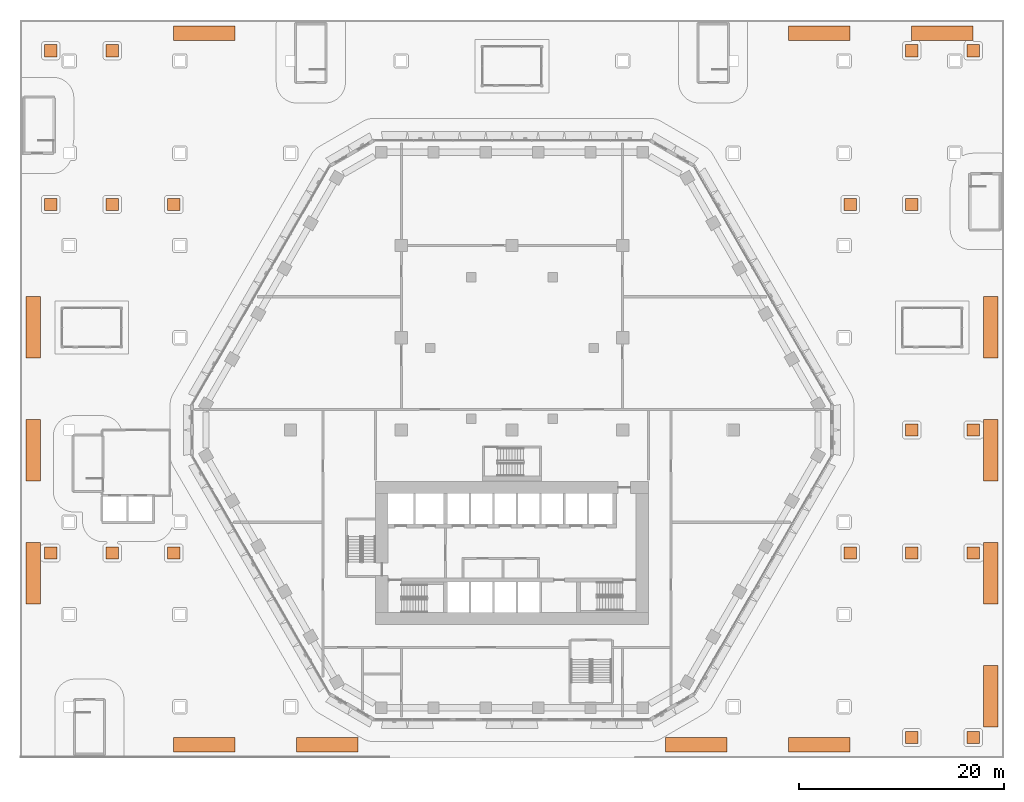
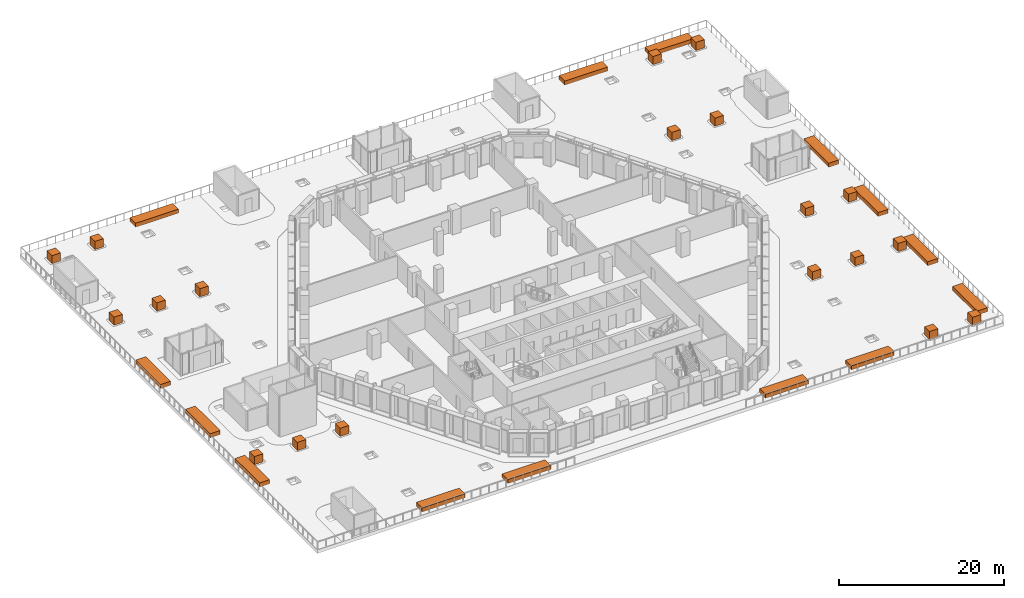
# One storey, part 38 of 38: 33 proxies.
"""IFC4 building model written with IfcOpenShell, lengths in metres."""

from ifc_helpers import new_model, si_unit, direction, frame, origin, place, context, subcontext, project, spatial, polyline, outline, extrude, material, type_object, element, save


model = new_model("IFC4")

# Units and contexts
model_context = context("Model", 3, precision=1e-05, world=origin(), true_north=direction((0.0, 1.0)))
body_context = subcontext(model_context, "Body", "Model", "MODEL_VIEW")
ifc_project = project(units=[si_unit("LENGTHUNIT", "METRE"), si_unit("AREAUNIT", "SQUARE_METRE"), si_unit("VOLUMEUNIT", "CUBIC_METRE"), si_unit("PLANEANGLEUNIT", "RADIAN"), si_unit("MASSUNIT", "GRAM", prefix="KILO")], contexts=[model_context])

# Site, building, storey
site_placement = place(None, origin())
site = spatial("IfcSite", under=ifc_project, at=site_placement, CompositionType="ELEMENT")
building_placement = place(site_placement, origin())
building = spatial("IfcBuilding", under=site, at=building_placement, Name="Beryl Residences", CompositionType="ELEMENT")
storey_placement = place(building_placement, frame((0.0, 0.0, 9.0)))
storey = spatial("IfcBuildingStorey", under=building, at=storey_placement, Name="L02", CompositionType="ELEMENT", Elevation=9.0)

# Proxies
ifc_material_1 = material(Name="Planting soil in precast concrete C40/50 trough", Category="concrete")
building_element_proxy_type_1 = type_object("IfcBuildingElementProxyType", Name="PL1 planter bed 600 mm", PredefinedType="USERDEFINED", material=ifc_material_1)
proxy_1_placement = place(storey_placement, origin())
element("IfcBuildingElementProxy", 1, at=proxy_1_placement, inside=storey, type_object=building_element_proxy_type_1, Name="PL1 planter bed deck S 1", ObjectType="PLANTER", PredefinedType="USERDEFINED", context=body_context, shape_type="SweptSolid", body=[
    extrude(outline(polyline([(-33.0, -31.39990234375), (-27.0, -31.39990234375), (-27.0, -30.0), (-33.0, -30.0), (-33.0, -31.39990234375)])), origin(), (0.0, 0.0, 1.0), 0.60009765625),
])
proxy_2_placement = place(storey_placement, origin())
element("IfcBuildingElementProxy", 2, at=proxy_2_placement, inside=storey, type_object=building_element_proxy_type_1, Name="PL1 planter bed deck S 2", ObjectType="PLANTER", PredefinedType="USERDEFINED", context=body_context, shape_type="SweptSolid", body=[
    extrude(outline(polyline([(-21.0, -31.39990234375), (-15.0, -31.39990234375), (-15.0, -30.0), (-21.0, -30.0), (-21.0, -31.39990234375)])), origin(), (0.0, 0.0, 1.0), 0.60009765625),
])
proxy_3_placement = place(storey_placement, origin())
element("IfcBuildingElementProxy", 3, at=proxy_3_placement, inside=storey, type_object=building_element_proxy_type_1, Name="PL1 planter bed deck S 3", ObjectType="PLANTER", PredefinedType="USERDEFINED", context=body_context, shape_type="SweptSolid", body=[
    extrude(outline(polyline([(15.0, -31.39990234375), (21.0, -31.39990234375), (21.0, -30.0), (15.0, -30.0), (15.0, -31.39990234375)])), origin(), (0.0, 0.0, 1.0), 0.60009765625),
])
proxy_4_placement = place(storey_placement, origin())
element("IfcBuildingElementProxy", 4, at=proxy_4_placement, inside=storey, type_object=building_element_proxy_type_1, Name="PL1 planter bed deck S 4", ObjectType="PLANTER", PredefinedType="USERDEFINED", context=body_context, shape_type="SweptSolid", body=[
    extrude(outline(polyline([(27.0, -31.39990234375), (33.0, -31.39990234375), (33.0, -30.0), (27.0, -30.0), (27.0, -31.39990234375)])), origin(), (0.0, 0.0, 1.0), 0.60009765625),
])
proxy_5_placement = place(storey_placement, origin())
element("IfcBuildingElementProxy", 5, at=proxy_5_placement, inside=storey, type_object=building_element_proxy_type_1, Name="PL1 planter bed deck E 1", ObjectType="PLANTER", PredefinedType="USERDEFINED", context=body_context, shape_type="SweptSolid", body=[
    extrude(outline(polyline([(47.39990234375, -29.0), (47.39990234375, -23.0), (46.0, -23.0), (46.0, -29.0), (47.39990234375, -29.0)])), origin(), (0.0, 0.0, 1.0), 0.60009765625),
])
proxy_6_placement = place(storey_placement, origin())
element("IfcBuildingElementProxy", 6, at=proxy_6_placement, inside=storey, type_object=building_element_proxy_type_1, Name="PL1 planter bed deck E 2", ObjectType="PLANTER", PredefinedType="USERDEFINED", context=body_context, shape_type="SweptSolid", body=[
    extrude(outline(polyline([(47.39990234375, -17.0), (47.39990234375, -11.0), (46.0, -11.0), (46.0, -17.0), (47.39990234375, -17.0)])), origin(), (0.0, 0.0, 1.0), 0.60009765625),
])
proxy_7_placement = place(storey_placement, origin())
element("IfcBuildingElementProxy", 7, at=proxy_7_placement, inside=storey, type_object=building_element_proxy_type_1, Name="PL1 planter bed deck E 3", ObjectType="PLANTER", PredefinedType="USERDEFINED", context=body_context, shape_type="SweptSolid", body=[
    extrude(outline(polyline([(47.39990234375, -5.0), (47.39990234375, 1.0), (46.0, 1.0), (46.0, -5.0), (47.39990234375, -5.0)])), origin(), (0.0, 0.0, 1.0), 0.60009765625),
])
proxy_8_placement = place(storey_placement, origin())
element("IfcBuildingElementProxy", 8, at=proxy_8_placement, inside=storey, type_object=building_element_proxy_type_1, Name="PL1 planter bed deck E 4", ObjectType="PLANTER", PredefinedType="USERDEFINED", context=body_context, shape_type="SweptSolid", body=[
    extrude(outline(polyline([(47.39990234375, 7.0), (47.39990234375, 13.0), (46.0, 13.0), (46.0, 7.0), (47.39990234375, 7.0)])), origin(), (0.0, 0.0, 1.0), 0.60009765625),
])
proxy_9_placement = place(storey_placement, origin())
element("IfcBuildingElementProxy", 9, at=proxy_9_placement, inside=storey, type_object=building_element_proxy_type_1, Name="PL1 planter bed deck N 1", ObjectType="PLANTER", PredefinedType="USERDEFINED", context=body_context, shape_type="SweptSolid", body=[
    extrude(outline(polyline([(45.0, 39.39990234375), (39.0, 39.39990234375), (39.0, 38.0), (45.0, 38.0), (45.0, 39.39990234375)])), origin(), (0.0, 0.0, 1.0), 0.60009765625),
])
proxy_10_placement = place(storey_placement, origin())
element("IfcBuildingElementProxy", 10, at=proxy_10_placement, inside=storey, type_object=building_element_proxy_type_1, Name="PL1 planter bed deck N 2", ObjectType="PLANTER", PredefinedType="USERDEFINED", context=body_context, shape_type="SweptSolid", body=[
    extrude(outline(polyline([(33.0, 39.39990234375), (27.0, 39.39990234375), (27.0, 38.0), (33.0, 38.0), (33.0, 39.39990234375)])), origin(), (0.0, 0.0, 1.0), 0.60009765625),
])
proxy_11_placement = place(storey_placement, origin())
element("IfcBuildingElementProxy", 11, at=proxy_11_placement, inside=storey, type_object=building_element_proxy_type_1, Name="PL1 planter bed deck N 3", ObjectType="PLANTER", PredefinedType="USERDEFINED", context=body_context, shape_type="SweptSolid", body=[
    extrude(outline(polyline([(-27.0, 39.39990234375), (-33.0, 39.39990234375), (-33.0, 38.0), (-27.0, 38.0), (-27.0, 39.39990234375)])), origin(), (0.0, 0.0, 1.0), 0.60009765625),
])
proxy_12_placement = place(storey_placement, origin())
element("IfcBuildingElementProxy", 12, at=proxy_12_placement, inside=storey, type_object=building_element_proxy_type_1, Name="PL1 planter bed deck W 1", ObjectType="PLANTER", PredefinedType="USERDEFINED", context=body_context, shape_type="SweptSolid", body=[
    extrude(outline(polyline([(-47.39990234375, 13.0), (-47.39990234375, 7.0), (-46.0, 7.0), (-46.0, 13.0), (-47.39990234375, 13.0)])), origin(), (0.0, 0.0, 1.0), 0.60009765625),
])
proxy_13_placement = place(storey_placement, origin())
element("IfcBuildingElementProxy", 13, at=proxy_13_placement, inside=storey, type_object=building_element_proxy_type_1, Name="PL1 planter bed deck W 2", ObjectType="PLANTER", PredefinedType="USERDEFINED", context=body_context, shape_type="SweptSolid", body=[
    extrude(outline(polyline([(-47.39990234375, 1.0), (-47.39990234375, -5.0), (-46.0, -5.0), (-46.0, 1.0), (-47.39990234375, 1.0)])), origin(), (0.0, 0.0, 1.0), 0.60009765625),
])
proxy_14_placement = place(storey_placement, origin())
element("IfcBuildingElementProxy", 14, at=proxy_14_placement, inside=storey, type_object=building_element_proxy_type_1, Name="PL1 planter bed deck W 3", ObjectType="PLANTER", PredefinedType="USERDEFINED", context=body_context, shape_type="SweptSolid", body=[
    extrude(outline(polyline([(-47.39990234375, -11.0), (-47.39990234375, -17.0), (-46.0, -17.0), (-46.0, -11.0), (-47.39990234375, -11.0)])), origin(), (0.0, 0.0, 1.0), 0.60009765625),
])
ifc_material_2 = material(Name="Planting soil in precast concrete C40/50 trough", Category="concrete")
building_element_proxy_type_2 = type_object("IfcBuildingElementProxyType", Name="PL2 tree planter 1200 mm", PredefinedType="USERDEFINED", material=ifc_material_2)
proxy_15_placement = place(storey_placement, origin())
element("IfcBuildingElementProxy", 15, at=proxy_15_placement, inside=storey, type_object=building_element_proxy_type_2, Name="PL2 tree planter deck 1", ObjectType="PLANTER", PredefinedType="USERDEFINED", context=body_context, shape_type="SweptSolid", body=[
    extrude(outline(polyline([(-44.39990234375, -12.60009765625), (-44.39990234375, -11.39990234375), (-45.60009765625, -11.39990234375), (-45.60009765625, -12.60009765625), (-44.39990234375, -12.60009765625)])), origin(), (0.0, 0.0, 1.0), 1.199951171875),
])
proxy_16_placement = place(storey_placement, origin())
element("IfcBuildingElementProxy", 16, at=proxy_16_placement, inside=storey, type_object=building_element_proxy_type_2, Name="PL2 tree planter deck 2", ObjectType="PLANTER", PredefinedType="USERDEFINED", context=body_context, shape_type="SweptSolid", body=[
    extrude(outline(polyline([(-44.39990234375, 21.39990234375), (-44.39990234375, 22.60009765625), (-45.60009765625, 22.60009765625), (-45.60009765625, 21.39990234375), (-44.39990234375, 21.39990234375)])), origin(), (0.0, 0.0, 1.0), 1.199951171875),
])
proxy_17_placement = place(storey_placement, origin())
element("IfcBuildingElementProxy", 17, at=proxy_17_placement, inside=storey, type_object=building_element_proxy_type_2, Name="PL2 tree planter deck 3", ObjectType="PLANTER", PredefinedType="USERDEFINED", context=body_context, shape_type="SweptSolid", body=[
    extrude(outline(polyline([(-44.39990234375, 36.39990234375), (-44.39990234375, 37.60009765625), (-45.60009765625, 37.60009765625), (-45.60009765625, 36.39990234375), (-44.39990234375, 36.39990234375)])), origin(), (0.0, 0.0, 1.0), 1.199951171875),
])
proxy_18_placement = place(storey_placement, origin())
element("IfcBuildingElementProxy", 18, at=proxy_18_placement, inside=storey, type_object=building_element_proxy_type_2, Name="PL2 tree planter deck 4", ObjectType="PLANTER", PredefinedType="USERDEFINED", context=body_context, shape_type="SweptSolid", body=[
    extrude(outline(polyline([(-38.39990234375, -12.60009765625), (-38.39990234375, -11.39990234375), (-39.60009765625, -11.39990234375), (-39.60009765625, -12.60009765625), (-38.39990234375, -12.60009765625)])), origin(), (0.0, 0.0, 1.0), 1.199951171875),
])
proxy_19_placement = place(storey_placement, origin())
element("IfcBuildingElementProxy", 19, at=proxy_19_placement, inside=storey, type_object=building_element_proxy_type_2, Name="PL2 tree planter deck 5", ObjectType="PLANTER", PredefinedType="USERDEFINED", context=body_context, shape_type="SweptSolid", body=[
    extrude(outline(polyline([(-38.39990234375, 21.39990234375), (-38.39990234375, 22.60009765625), (-39.60009765625, 22.60009765625), (-39.60009765625, 21.39990234375), (-38.39990234375, 21.39990234375)])), origin(), (0.0, 0.0, 1.0), 1.199951171875),
])
proxy_20_placement = place(storey_placement, origin())
element("IfcBuildingElementProxy", 20, at=proxy_20_placement, inside=storey, type_object=building_element_proxy_type_2, Name="PL2 tree planter deck 6", ObjectType="PLANTER", PredefinedType="USERDEFINED", context=body_context, shape_type="SweptSolid", body=[
    extrude(outline(polyline([(-38.39990234375, 36.39990234375), (-38.39990234375, 37.60009765625), (-39.60009765625, 37.60009765625), (-39.60009765625, 36.39990234375), (-38.39990234375, 36.39990234375)])), origin(), (0.0, 0.0, 1.0), 1.199951171875),
])
proxy_21_placement = place(storey_placement, origin())
element("IfcBuildingElementProxy", 21, at=proxy_21_placement, inside=storey, type_object=building_element_proxy_type_2, Name="PL2 tree planter deck 7", ObjectType="PLANTER", PredefinedType="USERDEFINED", context=body_context, shape_type="SweptSolid", body=[
    extrude(outline(polyline([(-32.39990234375, -12.60009765625), (-32.39990234375, -11.39990234375), (-33.60009765625, -11.39990234375), (-33.60009765625, -12.60009765625), (-32.39990234375, -12.60009765625)])), origin(), (0.0, 0.0, 1.0), 1.199951171875),
])
proxy_22_placement = place(storey_placement, origin())
element("IfcBuildingElementProxy", 22, at=proxy_22_placement, inside=storey, type_object=building_element_proxy_type_2, Name="PL2 tree planter deck 8", ObjectType="PLANTER", PredefinedType="USERDEFINED", context=body_context, shape_type="SweptSolid", body=[
    extrude(outline(polyline([(-32.39990234375, 21.39990234375), (-32.39990234375, 22.60009765625), (-33.60009765625, 22.60009765625), (-33.60009765625, 21.39990234375), (-32.39990234375, 21.39990234375)])), origin(), (0.0, 0.0, 1.0), 1.199951171875),
])
proxy_23_placement = place(storey_placement, origin())
element("IfcBuildingElementProxy", 23, at=proxy_23_placement, inside=storey, type_object=building_element_proxy_type_2, Name="PL2 tree planter deck 9", ObjectType="PLANTER", PredefinedType="USERDEFINED", context=body_context, shape_type="SweptSolid", body=[
    extrude(outline(polyline([(33.60009765625, -12.60009765625), (33.60009765625, -11.39990234375), (32.39990234375, -11.39990234375), (32.39990234375, -12.60009765625), (33.60009765625, -12.60009765625)])), origin(), (0.0, 0.0, 1.0), 1.199951171875),
])
proxy_24_placement = place(storey_placement, origin())
element("IfcBuildingElementProxy", 24, at=proxy_24_placement, inside=storey, type_object=building_element_proxy_type_2, Name="PL2 tree planter deck 10", ObjectType="PLANTER", PredefinedType="USERDEFINED", context=body_context, shape_type="SweptSolid", body=[
    extrude(outline(polyline([(33.60009765625, 21.39990234375), (33.60009765625, 22.60009765625), (32.39990234375, 22.60009765625), (32.39990234375, 21.39990234375), (33.60009765625, 21.39990234375)])), origin(), (0.0, 0.0, 1.0), 1.199951171875),
])
proxy_25_placement = place(storey_placement, origin())
element("IfcBuildingElementProxy", 25, at=proxy_25_placement, inside=storey, type_object=building_element_proxy_type_2, Name="PL2 tree planter deck 11", ObjectType="PLANTER", PredefinedType="USERDEFINED", context=body_context, shape_type="SweptSolid", body=[
    extrude(outline(polyline([(39.60009765625, -30.60009765625), (39.60009765625, -29.39990234375), (38.39990234375, -29.39990234375), (38.39990234375, -30.60009765625), (39.60009765625, -30.60009765625)])), origin(), (0.0, 0.0, 1.0), 1.199951171875),
])
proxy_26_placement = place(storey_placement, origin())
element("IfcBuildingElementProxy", 26, at=proxy_26_placement, inside=storey, type_object=building_element_proxy_type_2, Name="PL2 tree planter deck 12", ObjectType="PLANTER", PredefinedType="USERDEFINED", context=body_context, shape_type="SweptSolid", body=[
    extrude(outline(polyline([(39.60009765625, -12.60009765625), (39.60009765625, -11.39990234375), (38.39990234375, -11.39990234375), (38.39990234375, -12.60009765625), (39.60009765625, -12.60009765625)])), origin(), (0.0, 0.0, 1.0), 1.199951171875),
])
proxy_27_placement = place(storey_placement, origin())
element("IfcBuildingElementProxy", 27, at=proxy_27_placement, inside=storey, type_object=building_element_proxy_type_2, Name="PL2 tree planter deck 13", ObjectType="PLANTER", PredefinedType="USERDEFINED", context=body_context, shape_type="SweptSolid", body=[
    extrude(outline(polyline([(39.60009765625, -0.60009765625), (39.60009765625, 0.60009765625), (38.39990234375, 0.60009765625), (38.39990234375, -0.60009765625), (39.60009765625, -0.60009765625)])), origin(), (0.0, 0.0, 1.0), 1.199951171875),
])
proxy_28_placement = place(storey_placement, origin())
element("IfcBuildingElementProxy", 28, at=proxy_28_placement, inside=storey, type_object=building_element_proxy_type_2, Name="PL2 tree planter deck 14", ObjectType="PLANTER", PredefinedType="USERDEFINED", context=body_context, shape_type="SweptSolid", body=[
    extrude(outline(polyline([(39.60009765625, 21.39990234375), (39.60009765625, 22.60009765625), (38.39990234375, 22.60009765625), (38.39990234375, 21.39990234375), (39.60009765625, 21.39990234375)])), origin(), (0.0, 0.0, 1.0), 1.199951171875),
])
proxy_29_placement = place(storey_placement, origin())
element("IfcBuildingElementProxy", 29, at=proxy_29_placement, inside=storey, type_object=building_element_proxy_type_2, Name="PL2 tree planter deck 15", ObjectType="PLANTER", PredefinedType="USERDEFINED", context=body_context, shape_type="SweptSolid", body=[
    extrude(outline(polyline([(39.60009765625, 36.39990234375), (39.60009765625, 37.60009765625), (38.39990234375, 37.60009765625), (38.39990234375, 36.39990234375), (39.60009765625, 36.39990234375)])), origin(), (0.0, 0.0, 1.0), 1.199951171875),
])
proxy_30_placement = place(storey_placement, origin())
element("IfcBuildingElementProxy", 30, at=proxy_30_placement, inside=storey, type_object=building_element_proxy_type_2, Name="PL2 tree planter deck 16", ObjectType="PLANTER", PredefinedType="USERDEFINED", context=body_context, shape_type="SweptSolid", body=[
    extrude(outline(polyline([(45.60009765625, -30.60009765625), (45.60009765625, -29.39990234375), (44.39990234375, -29.39990234375), (44.39990234375, -30.60009765625), (45.60009765625, -30.60009765625)])), origin(), (0.0, 0.0, 1.0), 1.199951171875),
])
proxy_31_placement = place(storey_placement, origin())
element("IfcBuildingElementProxy", 31, at=proxy_31_placement, inside=storey, type_object=building_element_proxy_type_2, Name="PL2 tree planter deck 17", ObjectType="PLANTER", PredefinedType="USERDEFINED", context=body_context, shape_type="SweptSolid", body=[
    extrude(outline(polyline([(45.60009765625, -12.60009765625), (45.60009765625, -11.39990234375), (44.39990234375, -11.39990234375), (44.39990234375, -12.60009765625), (45.60009765625, -12.60009765625)])), origin(), (0.0, 0.0, 1.0), 1.199951171875),
])
proxy_32_placement = place(storey_placement, origin())
element("IfcBuildingElementProxy", 32, at=proxy_32_placement, inside=storey, type_object=building_element_proxy_type_2, Name="PL2 tree planter deck 18", ObjectType="PLANTER", PredefinedType="USERDEFINED", context=body_context, shape_type="SweptSolid", body=[
    extrude(outline(polyline([(45.60009765625, -0.60009765625), (45.60009765625, 0.60009765625), (44.39990234375, 0.60009765625), (44.39990234375, -0.60009765625), (45.60009765625, -0.60009765625)])), origin(), (0.0, 0.0, 1.0), 1.199951171875),
])
proxy_33_placement = place(storey_placement, origin())
element("IfcBuildingElementProxy", 33, at=proxy_33_placement, inside=storey, type_object=building_element_proxy_type_2, Name="PL2 tree planter deck 19", ObjectType="PLANTER", PredefinedType="USERDEFINED", context=body_context, shape_type="SweptSolid", body=[
    extrude(outline(polyline([(45.60009765625, 36.39990234375), (45.60009765625, 37.60009765625), (44.39990234375, 37.60009765625), (44.39990234375, 36.39990234375), (45.60009765625, 36.39990234375)])), origin(), (0.0, 0.0, 1.0), 1.199951171875),
])

save(model, "model.ifc")
